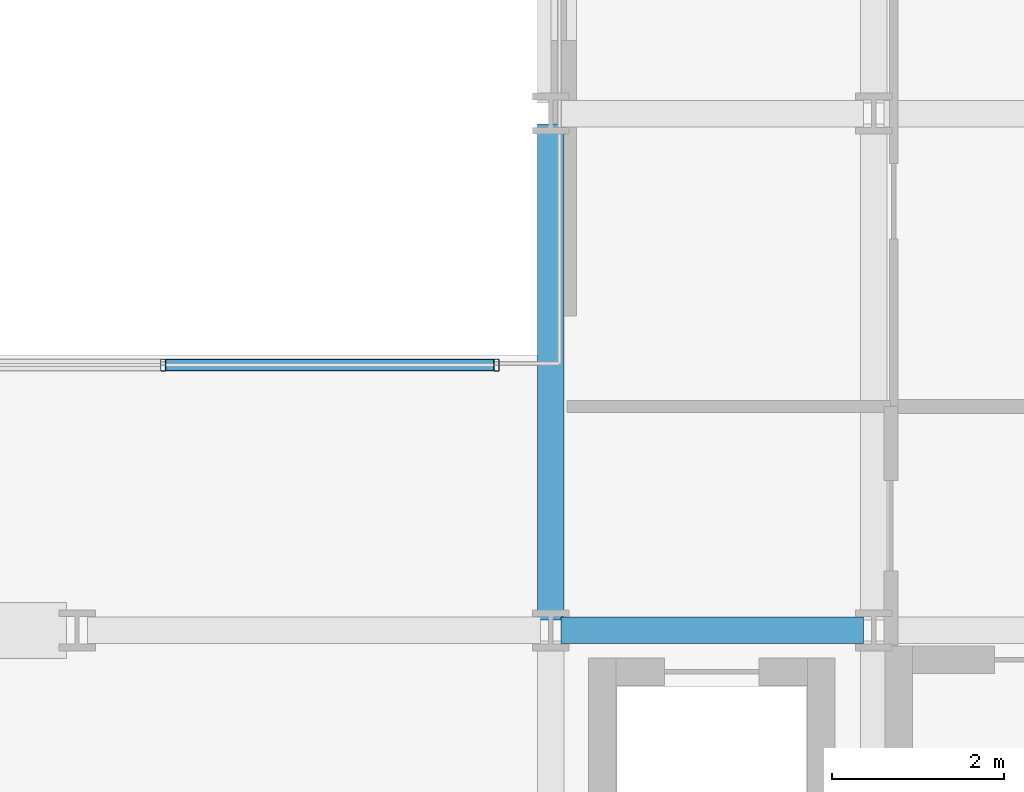
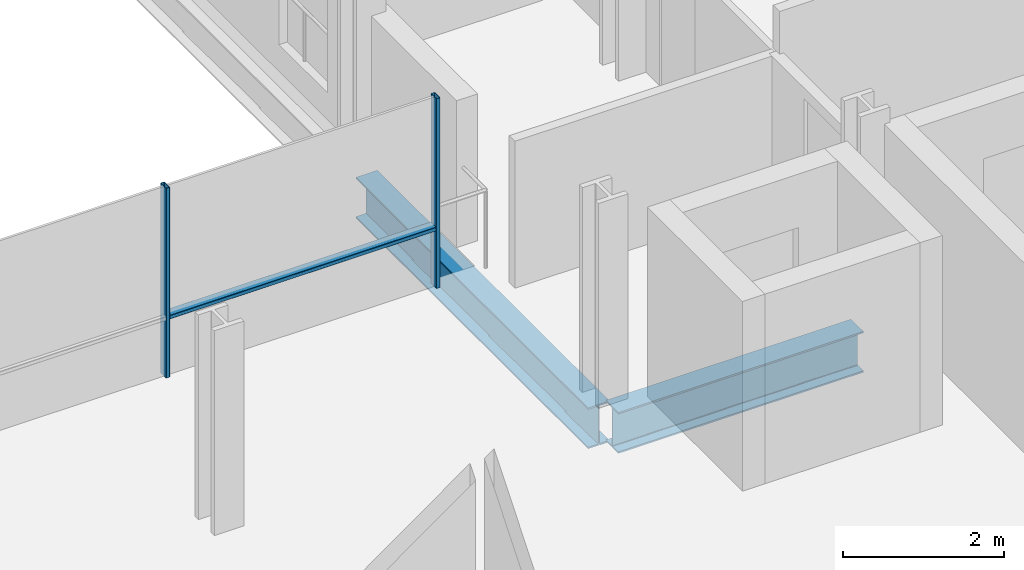
# One storey, part 13 of 40: 3 members, 2 beams, 1 element without a shape of its own.
"""IFC4 building model written with IfcOpenShell, lengths in metres."""

from ifc_helpers import new_model, si_unit, direction, frame, origin, origin_2d, place, context, subcontext, project, spatial, hollow_rectangle, i_section, extrude, material, layer, layer_set, material_profile, profile_set, type_object, element, aggregate, save


model = new_model("IFC4")

# Units and contexts
model_context = context("Model", 3, precision=1e-05, world=origin(), true_north=direction((0.0, 1.0)))
body_context = subcontext(model_context, "Body", "Model", "MODEL_VIEW")
ifc_project = project(units=[si_unit("LENGTHUNIT", "METRE"), si_unit("AREAUNIT", "SQUARE_METRE"), si_unit("VOLUMEUNIT", "CUBIC_METRE"), si_unit("PLANEANGLEUNIT", "RADIAN"), si_unit("MASSUNIT", "GRAM", prefix="KILO")], contexts=[model_context])

# Site, building, storey
site_placement = place(None, origin())
site = spatial("IfcSite", under=ifc_project, at=site_placement, CompositionType="ELEMENT")
building_placement = place(site_placement, origin())
building = spatial("IfcBuilding", under=site, at=building_placement, Name="Brevholm Reach", CompositionType="ELEMENT")
storey_placement = place(building_placement, frame((0.0, 0.0, 31.10009765625)))
storey = spatial("IfcBuildingStorey", under=building, at=storey_placement, Name="L07", CompositionType="ELEMENT", Elevation=31.10009765625)

# Beams
ifc_material_1 = material(Name="Structural Steel S355J2", Category="steel")
ifc_material_profile_1 = material_profile(ifc_material_1, i_section(OverallWidth=0.30712890625, OverallDepth=0.6201171875, WebThickness=0.01416015625, FlangeThickness=0.023681640625, FilletRadius=0.0166015625, at=origin_2d()), Name="UKB 610x305x179")
ifc_profile_set_1 = profile_set([ifc_material_profile_1], Name="Structural Steel S355J2")
beam_type = type_object("IfcBeamType", Name="BM-UKB610H", PredefinedType="USERDEFINED", material=ifc_profile_set_1)
beam_1_placement = place(storey_placement, frame((38.3701171875, 10.0, -0.540283203125), z_axis=(1.0, 0.0, 0.0), x_axis=(0.0, 1.0, 0.0)))
element("IfcBeam", 1, at=beam_1_placement, inside=storey, type_object=beam_type, Name="L07 G-06 Framing Beam", ObjectType="GIRDER", PredefinedType="USERDEFINED", context=body_context, shape_type="SweptSolid", body=[
    extrude(i_section(OverallWidth=0.30712890625, OverallDepth=0.6201171875, WebThickness=0.01416015625, FlangeThickness=0.023681640625, FilletRadius=0.0166015625, at=origin_2d()), origin(), (0.0, 0.0, 1.0), 3.509765625),
])
beam_2_placement = place(storey_placement, frame((38.25, 10.1201171875, -0.540283203125), z_axis=(0.0, 1.0, 0.0), x_axis=(-1.0, 0.0, 0.0)))
element("IfcBeam", 2, at=beam_2_placement, inside=storey, type_object=beam_type, Name="L07 G-06 Framing Beam", ObjectType="GIRDER", PredefinedType="USERDEFINED", context=body_context, shape_type="SweptSolid", body=[
    extrude(i_section(OverallWidth=0.30712890625, OverallDepth=0.6201171875, WebThickness=0.01416015625, FlangeThickness=0.023681640625, FilletRadius=0.0166015625, at=origin_2d()), origin(), (0.0, 0.0, 1.0), 5.759765625),
])

# Curtain wall, members
ifc_material_2 = material(Name="Dark Anodised Aluminium 6063-T6 and Solar-Control Glass", Category="aluminium")
ifc_layer = layer(ifc_material_2, 0.139892578125)
ifc_layer_set = layer_set([ifc_layer], Name="Dark Anodised Aluminium 6063-T6 and Solar-Control Glass")
curtain_wall_type = type_object("IfcCurtainWallType", Name="CW-02", PredefinedType="NOTDEFINED", material=ifc_layer_set)
curtain_wall_placement = place(storey_placement, origin())
curtain_wall = element("IfcCurtainWall", 3, at=curtain_wall_placement, inside=storey, type_object=curtain_wall_type, Name="L07 Curtain Wall CW-02", PredefinedType="NOTDEFINED")
ifc_material_3 = material(Name="Dark Anodised Aluminium 6063-T6", Category="aluminium")
ifc_material_profile_2 = material_profile(ifc_material_3, hollow_rectangle(XDim=0.06005859375, YDim=0.139892578125, WallThickness=0.0048828125, InnerFilletRadius=0.0048828125, OuterFilletRadius=0.010009765625, at=origin_2d()), Name="RHS 140x60x5")
ifc_profile_set_2 = profile_set([ifc_material_profile_2], Name="Dark Anodised Aluminium 6063-T6")
member_type_1 = type_object("IfcMemberType", Name="CWM-140", PredefinedType="MULLION", material=ifc_profile_set_2)
member_1_placement = place(storey_placement, frame((33.75, 13.080078125, 0.0), z_axis=(0.0, 0.0, 1.0), x_axis=(1.0, 0.0, 0.0)))
member_1 = element("IfcMember", 4, at=member_1_placement, type_object=member_type_1, Name="CM-140 Mullion 4", PredefinedType="MULLION", context=body_context, shape_type="SweptSolid", body=[
    extrude(hollow_rectangle(XDim=0.06005859375, YDim=0.139892578125, WallThickness=0.0048828125, InnerFilletRadius=0.0048828125, OuterFilletRadius=0.010009765625, at=origin_2d()), origin(), (0.0, 0.0, 1.0), 2.869873046875),
])
member_2_placement = place(storey_placement, frame((37.6201171875, 13.080078125, 0.0), z_axis=(0.0, 0.0, 1.0), x_axis=(1.0, 0.0, 0.0)))
member_2 = element("IfcMember", 5, at=member_2_placement, type_object=member_type_1, Name="CM-140 Mullion 5", PredefinedType="MULLION", context=body_context, shape_type="SweptSolid", body=[
    extrude(hollow_rectangle(XDim=0.06005859375, YDim=0.139892578125, WallThickness=0.0048828125, InnerFilletRadius=0.0048828125, OuterFilletRadius=0.010009765625, at=origin_2d()), origin(), (0.0, 0.0, 1.0), 2.869873046875),
])
ifc_material_4 = material(Name="Dark Anodised Aluminium 6063-T6", Category="aluminium")
ifc_material_profile_3 = material_profile(ifc_material_4, hollow_rectangle(XDim=0.06005859375, YDim=0.139892578125, WallThickness=0.0048828125, InnerFilletRadius=0.0048828125, OuterFilletRadius=0.010009765625, at=origin_2d()), Name="RHS 140x60x5")
ifc_profile_set_3 = profile_set([ifc_material_profile_3], Name="Dark Anodised Aluminium 6063-T6")
member_type_2 = type_object("IfcMemberType", Name="CWT-140", PredefinedType="NOTDEFINED", material=ifc_profile_set_3)
member_3_placement = place(storey_placement, frame((33.780029296875, 13.080078125, 0.89990234375), z_axis=(1.0, 0.0, 0.0), x_axis=(0.0, 0.0, 1.0)))
member_3 = element("IfcMember", 6, at=member_3_placement, type_object=member_type_2, Name="CT-140 Transom 4.1", ObjectType="TRANSOM", PredefinedType="USERDEFINED", context=body_context, shape_type="SweptSolid", body=[
    extrude(hollow_rectangle(XDim=0.06005859375, YDim=0.139892578125, WallThickness=0.0048828125, InnerFilletRadius=0.0048828125, OuterFilletRadius=0.010009765625, at=origin_2d()), origin(), (0.0, 0.0, 1.0), 3.81005859375),
])
aggregate(curtain_wall, [member_1, member_2, member_3])

save(model, "model.ifc")
